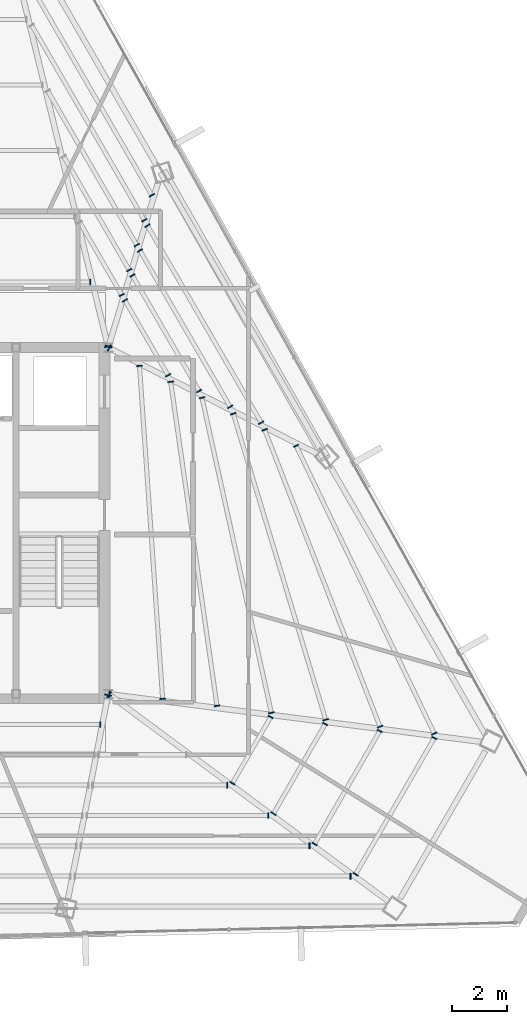
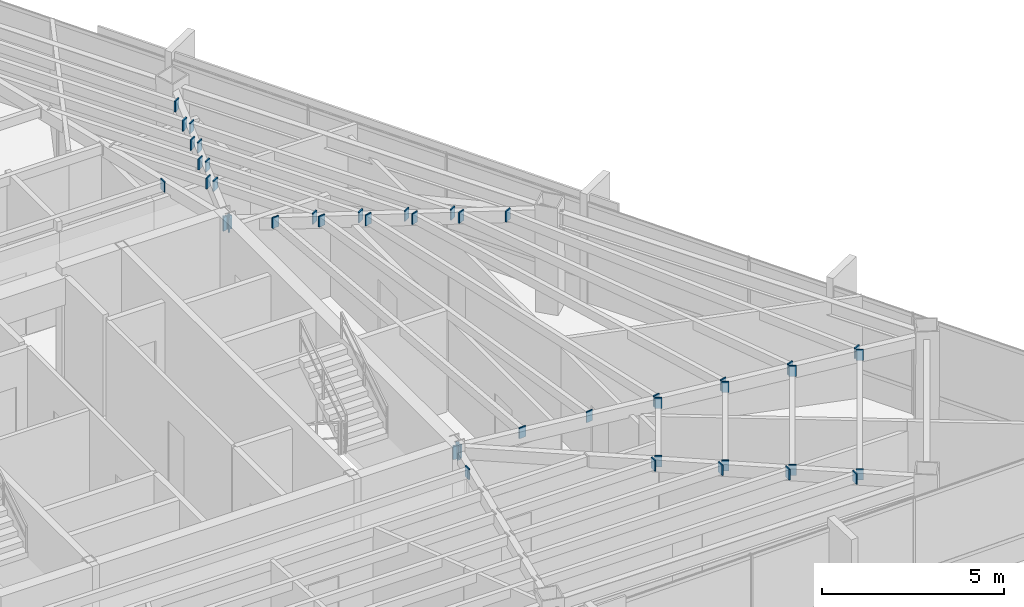
# One storey, part 41 of 48: 45 plates.
"""IFC4 building model written with IfcOpenShell, lengths in metres."""

from ifc_helpers import new_model, si_unit, direction, frame, origin, origin_2d, place, context, subcontext, project, spatial, rectangle, extrude, source, transform, mapped, material, layer, layer_set, type_object, type_shapes, element, save


model = new_model("IFC4")

# Units and contexts
model_context = context("Model", 3, precision=1e-05, world=origin(), true_north=direction((0.0, 1.0)))
body_context = subcontext(model_context, "Body", "Model", "MODEL_VIEW")
ifc_project = project(units=[si_unit("LENGTHUNIT", "METRE"), si_unit("AREAUNIT", "SQUARE_METRE"), si_unit("VOLUMEUNIT", "CUBIC_METRE"), si_unit("PLANEANGLEUNIT", "RADIAN"), si_unit("MASSUNIT", "GRAM", prefix="KILO")], contexts=[model_context])

# Site, building, storey
site_placement = place(None, origin())
site = spatial("IfcSite", under=ifc_project, at=site_placement, CompositionType="ELEMENT")
building_placement = place(site_placement, origin())
building = spatial("IfcBuilding", under=site, at=building_placement, Name="Caelisora Broadcast Tower", CompositionType="ELEMENT")
storey_placement = place(building_placement, frame((0.0, 0.0, 270.0)))
storey = spatial("IfcBuildingStorey", under=building, at=storey_placement, Name="L71", CompositionType="ELEMENT", Elevation=270.0)

# Plates
ifc_material = material(Name="Steel Grade 350 L15 (AS/NZS 3678)", Category="steel")
ifc_layer = layer(ifc_material, 0.0400390625, Name="Steel Grade 350 L15 (AS/NZS 3678)")
ifc_layer_set = layer_set([ifc_layer], Name="Steel Grade 350 L15 (AS/NZS 3678)")
plate_type = type_object("IfcPlateType", Name="GP04", PredefinedType="USERDEFINED", material=ifc_layer_set)
shared_shape_1 = source(origin(), body_context, "Body", "SweptSolid", [
    extrude(rectangle(XDim=0.260009765625, YDim=0.0400390625, at=origin_2d()), origin(), (0.0, 0.0, 1.0), 0.4599609375),
])
for number, where, z_axis, x_axis, name in (
    (1, (45.490478515625, 30.038818359375, 2.969970703125), (0.0, 0.0, 1.0), (-0.971631732915, -0.236498997024, 0.0), "L71 gusset plate GP04 (ND-RAD-L71-01)"),
    (2, (45.4921875, 17.36083984375, 2.969970703125), (0.0, 0.0, 1.0), (0.981259047624, -0.192693231472, 0.0), "L71 gusset plate GP04 (ND-RAD-L71-08)"),
    (3, (45.5322265625, 17.376220703125, 2.969970703125), (0.0, 0.0, 1.0), (0.594682478203, 0.803960664534, 0.0), "L71 gusset plate GP04 (ND-RAD-L71-09)"),
    (4, (45.539794921875, 17.39501953125, 2.969970703125), (0.0, 0.0, 1.0), (0.127064608601, 0.99189444259, 0.0), "L71 gusset plate GP04 (ND-RAD-L71-10)"),
    (5, (45.53564453125, 29.98193359375, 2.969970703125), (0.0, 0.0, 1.0), (0.453368349255, 0.891323252189, 0.0), "L71 gusset plate GP04 (ND-RAD-L71-11)"),
    (6, (45.51171875, 30.038330078125, 2.969970703125), (0.0, 0.0, 1.0), (-0.957269037387, 0.289198876314, 0.0), "L71 gusset plate GP04 (ND-RAD-L71-12)"),
):
    element("IfcPlate", number, at=place(storey_placement, frame(where, z_axis=z_axis, x_axis=x_axis)), inside=storey, type_object=plate_type, Name=name, ObjectType="GUSSET PLATE", PredefinedType="USERDEFINED", context=body_context, shape_type="MappedRepresentation", body=[
        mapped(shared_shape_1, transform((0.0, 0.0, 0.0), scale=1.0)),
    ])
shared_shape_2 = source(origin(), body_context, "Body", "SweptSolid", [
    extrude(rectangle(XDim=0.2099609375, YDim=0.0400390625, at=origin_2d()), origin(), (0.0, 0.0, 1.0), 0.360107421875),
])
type_shapes(plate_type, [shared_shape_1, shared_shape_2])
for number, where, z_axis, x_axis, name in (
    (7, (44.839111328125, 32.386474609375, 3.06982421875), (0.0, 0.0, 1.0), (0.0, -1.0, 0.0), "L71 gusset plate GP04 (ND-SB-L71-001A)"),
    (8, (45.204345703125, 16.296142578125, 3.06982421875), (0.0, 0.0, 1.0), (0.0, 1.0, 0.0), "L71 gusset plate GP04 (ND-SB-L71-031B)"),
    (9, (49.831787109375, 14.088623046875, 3.06982421875), (0.0, 0.0, 1.0), (0.0, 1.0, 0.0), "L71 gusset plate GP04 (ND-SB-L71-038B)"),
    (10, (51.32421875, 12.98486328125, 3.06982421875), (0.0, 0.0, 1.0), (0.0, 1.0, 0.0), "L71 gusset plate GP04 (ND-SB-L71-039B)"),
    (11, (52.81640625, 11.881103515625, 3.06982421875), (0.0, 0.0, 1.0), (0.0, 1.0, 0.0), "L71 gusset plate GP04 (ND-SB-L71-040B)"),
    (12, (54.30859375, 10.77734375, 3.06982421875), (0.0, 0.0, 1.0), (0.0, 1.0, 0.0), "L71 gusset plate GP04 (ND-SB-L71-041B)"),
    (13, (50.015625, 14.156005859375, 3.06982421875), (0.0, 0.0, 1.0), (-0.866025403784, 0.5, 0.0), "L71 gusset plate GP04 (ND-SB-L71-042A)"),
    (14, (51.406005859375, 16.563720703125, 3.06982421875), (0.0, 0.0, 1.0), (-0.866025403784, 0.5, 0.0), "L71 gusset plate GP04 (ND-SB-L71-042B)"),
    (15, (51.508056640625, 13.052001953125, 3.06982421875), (0.0, 0.0, 1.0), (-0.866025403784, 0.5, 0.0), "L71 gusset plate GP04 (ND-SB-L71-043A)"),
    (16, (53.388916015625, 16.309814453125, 3.06982421875), (0.0, 0.0, 1.0), (-0.866025403784, 0.5, 0.0), "L71 gusset plate GP04 (ND-SB-L71-043B)"),
    (17, (53.00048828125, 11.9482421875, 3.06982421875), (0.0, 0.0, 1.0), (-0.866025403784, 0.5, 0.0), "L71 gusset plate GP04 (ND-SB-L71-044A)"),
    (18, (55.37158203125, 16.0556640625, 3.06982421875), (0.0, 0.0, 1.0), (-0.866025403784, 0.5, 0.0), "L71 gusset plate GP04 (ND-SB-L71-044B)"),
    (19, (54.49267578125, 10.844482421875, 3.06982421875), (0.0, 0.0, 1.0), (-0.866025403784, 0.5, 0.0), "L71 gusset plate GP04 (ND-SB-L71-045A)"),
    (20, (57.3544921875, 15.801513671875, 3.06982421875), (0.0, 0.0, 1.0), (-0.866025403784, 0.5, 0.0), "L71 gusset plate GP04 (ND-SB-L71-045B)"),
    (21, (47.477294921875, 17.224609375, 3.06982421875), (0.0, 0.0, 1.0), (-0.997588339087, -0.069408253958, 0.0), "L71 gusset plate GP04 (ND-SB-L71-046A)"),
    (22, (46.634765625, 29.332763671875, 3.06982421875), (0.0, 0.0, 1.0), (-0.997588339087, -0.069408253958, 0.0), "L71 gusset plate GP04 (ND-SB-L71-046B)"),
    (23, (49.454345703125, 16.9716796875, 3.06982421875), (0.0, 0.0, 1.0), (-0.989949746297, -0.141419587774, 0.0), "L71 gusset plate GP04 (ND-SB-L71-047A)"),
    (24, (47.7705078125, 28.75390625, 3.06982421875), (0.0, 0.0, 1.0), (-0.989949746297, -0.141419587774, 0.0), "L71 gusset plate GP04 (ND-SB-L71-047B)"),
    (25, (51.4306640625, 16.718994140625, 3.06982421875), (0.0, 0.0, 1.0), (-0.976597262064, -0.215076237017, 0.0), "L71 gusset plate GP04 (ND-SB-L71-048A)"),
    (26, (48.90771484375, 28.17431640625, 3.06982421875), (0.0, 0.0, 1.0), (-0.976597262064, -0.215076237017, 0.0), "L71 gusset plate GP04 (ND-SB-L71-048B)"),
    (27, (53.406494140625, 16.466552734375, 3.06982421875), (0.0, 0.0, 1.0), (-0.957319497532, -0.289031796944, 0.0), "L71 gusset plate GP04 (ND-SB-L71-049A)"),
    (28, (50.04638671875, 27.59375, 3.06982421875), (0.0, 0.0, 1.0), (-0.957319497532, -0.289031796944, 0.0), "L71 gusset plate GP04 (ND-SB-L71-049B)"),
    (29, (55.381591796875, 16.214111328125, 3.06982421875), (0.0, 0.0, 1.0), (-0.932134327241, -0.36211268409, 0.0), "L71 gusset plate GP04 (ND-SB-L71-050A)"),
    (30, (51.1875, 27.011962890625, 3.06982421875), (0.0, 0.0, 1.0), (-0.932134327241, -0.36211268409, 0.0), "L71 gusset plate GP04 (ND-SB-L71-050B)"),
    (31, (57.355712890625, 15.962158203125, 3.06982421875), (0.0, 0.0, 1.0), (-0.9015306539, -0.43271524133, 0.0), "L71 gusset plate GP04 (ND-SB-L71-051A)"),
    (32, (52.3310546875, 26.4287109375, 3.06982421875), (0.0, 0.0, 1.0), (-0.9015306539, -0.43271524133, 0.0), "L71 gusset plate GP04 (ND-SB-L71-051B)"),
    (33, (47.676513671875, 28.9912109375, 3.06982421875), (0.0, 0.0, 1.0), (-0.866025403784, -0.5, 0.0), "L71 gusset plate GP04 (ND-SB-L71-052A)"),
    (34, (46.1044921875, 31.713623046875, 3.06982421875), (0.0, 0.0, 1.0), (-0.866025403784, -0.5, 0.0), "L71 gusset plate GP04 (ND-SB-L71-052B)"),
    (35, (48.8046875, 28.417236328125, 3.06982421875), (0.0, 0.0, 1.0), (-0.866025403784, -0.5, 0.0), "L71 gusset plate GP04 (ND-SB-L71-053A)"),
    (36, (46.378173828125, 32.619873046875, 3.06982421875), (0.0, 0.0, 1.0), (-0.866025403784, -0.5, 0.0), "L71 gusset plate GP04 (ND-SB-L71-053B)"),
    (37, (49.932861328125, 27.84326171875, 3.06982421875), (0.0, 0.0, 1.0), (-0.866025403784, -0.5, 0.0), "L71 gusset plate GP04 (ND-SB-L71-054A)"),
    (38, (46.652099609375, 33.526123046875, 3.06982421875), (0.0, 0.0, 1.0), (-0.866025403784, -0.5, 0.0), "L71 gusset plate GP04 (ND-SB-L71-054B)"),
    (39, (51.061279296875, 27.269287109375, 3.06982421875), (0.0, 0.0, 1.0), (-0.866025403784, -0.5, 0.0), "L71 gusset plate GP04 (ND-SB-L71-055A)"),
    (40, (46.92578125, 34.432373046875, 3.06982421875), (0.0, 0.0, 1.0), (-0.866025403784, -0.5, 0.0), "L71 gusset plate GP04 (ND-SB-L71-055B)"),
    (41, (45.990234375, 31.911376953125, 3.06982421875), (0.0, 0.0, 1.0), (-0.866025403784, -0.5, 0.0), "L71 gusset plate GP04 (ND-SB-L71-056A)"),
    (42, (46.263916015625, 32.817626953125, 3.06982421875), (0.0, 0.0, 1.0), (-0.866025403784, -0.5, 0.0), "L71 gusset plate GP04 (ND-SB-L71-057A)"),
    (43, (46.537841796875, 33.723876953125, 3.06982421875), (0.0, 0.0, 1.0), (-0.866025403784, -0.5, 0.0), "L71 gusset plate GP04 (ND-SB-L71-058A)"),
    (44, (46.8115234375, 34.630126953125, 3.06982421875), (0.0, 0.0, 1.0), (-0.866025403784, -0.5, 0.0), "L71 gusset plate GP04 (ND-SB-L71-059A)"),
    (45, (47.085205078125, 35.536376953125, 3.06982421875), (0.0, 0.0, 1.0), (-0.866025403784, -0.5, 0.0), "L71 gusset plate GP04 (ND-SB-L71-060A)"),
):
    element("IfcPlate", number, at=place(storey_placement, frame(where, z_axis=z_axis, x_axis=x_axis)), inside=storey, type_object=plate_type, Name=name, ObjectType="GUSSET PLATE", PredefinedType="USERDEFINED", context=body_context, shape_type="MappedRepresentation", body=[
        mapped(shared_shape_2, transform((0.0, 0.0, 0.0), scale=1.0)),
    ])

save(model, "model.ifc")
